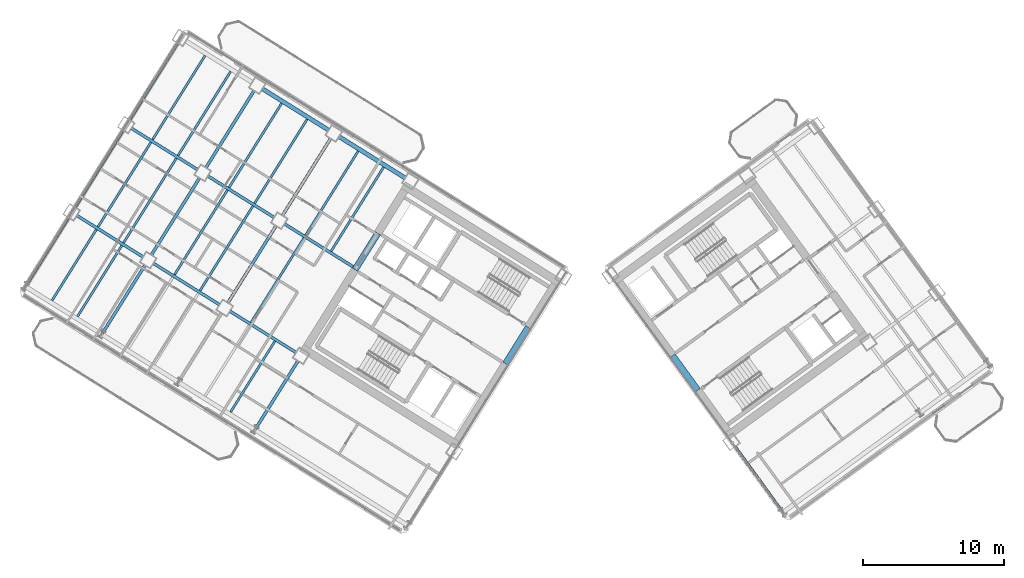
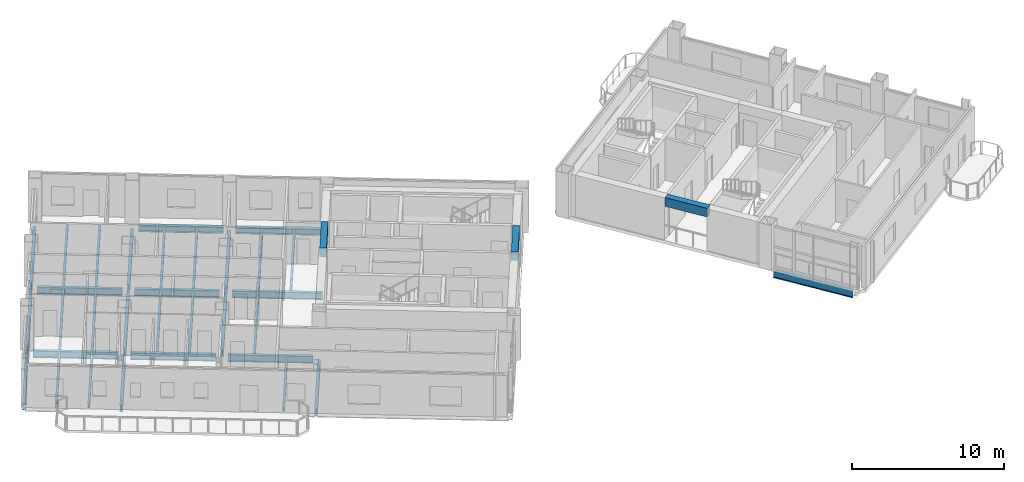
# One storey, part 7 of 19: 35 beams.
"""IFC4 building model written with IfcOpenShell, lengths in metres."""

from ifc_helpers import new_model, si_unit, direction, frame, origin, origin_2d, place, context, subcontext, project, spatial, rectangle, i_section, extrude, source, transform, mapped, material, material_profile, profile_set, type_object, element, save


model = new_model("IFC4")

# Units and contexts
model_context = context("Model", 3, precision=1e-05, world=origin(), true_north=direction((0.0, 1.0)))
body_context = subcontext(model_context, "Body", "Model", "MODEL_VIEW")
ifc_project = project(units=[si_unit("LENGTHUNIT", "METRE"), si_unit("AREAUNIT", "SQUARE_METRE"), si_unit("VOLUMEUNIT", "CUBIC_METRE"), si_unit("PLANEANGLEUNIT", "RADIAN"), si_unit("MASSUNIT", "GRAM", prefix="KILO")], contexts=[model_context])

# Site, building, storey
site_placement = place(None, origin())
site = spatial("IfcSite", under=ifc_project, at=site_placement, CompositionType="ELEMENT")
building_placement = place(site_placement, origin())
building = spatial("IfcBuilding", under=site, at=building_placement, Name="Tlacorven Tower", CompositionType="ELEMENT")
storey_placement = place(building_placement, frame((0.0, 0.0, 144.300048828125)))
storey = spatial("IfcBuildingStorey", under=building, at=storey_placement, Name="L36", CompositionType="ELEMENT", Elevation=144.300048828125)

# Beams
ifc_material_1 = material(Name="Concrete C60/75", Category="concrete")
ifc_material_profile_1 = material_profile(ifc_material_1, rectangle(XDim=0.449951171875, YDim=0.699951171875, at=origin_2d()), Name="RC 450X700")
ifc_profile_set_1 = profile_set([ifc_material_profile_1], Name="Concrete C60/75")
beam_type_1 = type_object("IfcBeamType", Name="BM-LNT-700", PredefinedType="LINTEL", material=ifc_profile_set_1)
shared_shape_1 = source(origin(), body_context, "Body", "SweptSolid", [
    extrude(rectangle(XDim=0.449951171875, YDim=0.699951171875, at=origin_2d()), origin(), (0.0, 0.0, 1.0), 3.050048828125),
])
for number, where, z_axis, x_axis, name in (
    (1, (38.2998046875, 20.890625, 3.0), (-0.529984549635, -0.848007297815, 0.0), (0.848007297815, -0.529984549635, 0.0), "L36 W core coupling lintel beam E1"),
    (2, (50.318359375, 16.416015625, 3.0), (-0.587776590479, 0.80902328748, 0.0), (-0.80902328748, -0.587776590479, 0.0), "L36 E core coupling lintel beam E1"),
):
    element("IfcBeam", number, at=place(storey_placement, frame(where, z_axis=z_axis, x_axis=x_axis)), inside=storey, type_object=beam_type_1, Name=name, PredefinedType="LINTEL", context=body_context, shape_type="MappedRepresentation", body=[
        mapped(shared_shape_1, transform((0.0, 0.0, 0.0), scale=1.0)),
    ])
shared_shape_2 = source(origin(), body_context, "Body", "SweptSolid", [
    extrude(rectangle(XDim=0.449951171875, YDim=0.699951171875, at=origin_2d()), origin(), (0.0, 0.0, 1.0), 3.0498046875),
])
beam_1_placement = place(storey_placement, frame((27.622802734375, 27.562255859375, 3.0), z_axis=(-0.529926983584, -0.848043272522, 0.0), x_axis=(0.848043272522, -0.529926983584, 0.0)))
element("IfcBeam", 3, at=beam_1_placement, inside=storey, type_object=beam_type_1, Name="L36 W core coupling lintel beam E2", PredefinedType="LINTEL", context=body_context, shape_type="MappedRepresentation", body=[
    mapped(shared_shape_2, transform((0.0, 0.0, 0.0), scale=1.0)),
])
ifc_material_2 = material(Name="Steel S355J2", Category="steel")
ifc_material_profile_2 = material_profile(ifc_material_2, i_section(OverallWidth=0.2099609375, OverallDepth=0.550048828125, WebThickness=0.010986328125, FlangeThickness=0.01708984375, at=origin_2d()), Name="IPE 550")
ifc_profile_set_2 = profile_set([ifc_material_profile_2], Name="Steel S355J2")
beam_type_2 = type_object("IfcBeamType", Name="BM-TWR-550", PredefinedType="BEAM", material=ifc_profile_set_2)
shared_shape_3 = source(origin(), body_context, "Body", "SweptSolid", [
    extrude(i_section(OverallWidth=0.2099609375, OverallDepth=0.550048828125, WebThickness=0.010986328125, FlangeThickness=0.01708984375, at=origin_2d()), origin(), (0.0, 0.0, 1.0), 5.599853515625),
])
for number, where, z_axis, x_axis, name in (
    (4, (20.292724609375, 28.6640625, -0.525146484375), (-0.848047285686, 0.529920561254, 0.0), (-0.529920561254, -0.848047285686, 0.0), "L36 beam BM-L36-WL2-4"),
    (5, (21.851806640625, 19.081787109375, -0.525146484375), (-0.848047285686, 0.529920561254, 0.0), (-0.529920561254, -0.848047285686, 0.0), "L36 beam BM-L36-WL3-3"),
    (6, (16.42431640625, 22.473388671875, -0.525146484375), (-0.848047285686, 0.529920561254, 0.0), (-0.529920561254, -0.848047285686, 0.0), "L36 beam BM-L36-WL3-4"),
    (7, (10.996826171875, 25.86474609375, -0.525146484375), (-0.848047285686, 0.529920561254, 0.0), (-0.529920561254, -0.848047285686, 0.0), "L36 beam BM-L36-WL3-5"),
):
    element("IfcBeam", number, at=place(storey_placement, frame(where, z_axis=z_axis, x_axis=x_axis)), inside=storey, type_object=beam_type_2, Name=name, PredefinedType="BEAM", context=body_context, shape_type="MappedRepresentation", body=[
        mapped(shared_shape_3, transform((0.0, 0.0, 0.0), scale=1.0)),
    ])
shared_shape_4 = source(origin(), body_context, "Body", "SweptSolid", [
    extrude(i_section(OverallWidth=0.2099609375, OverallDepth=0.550048828125, WebThickness=0.010986328125, FlangeThickness=0.01708984375, at=origin_2d()), origin(), (0.0, 0.0, 1.0), 5.960205078125),
])
beam_2_placement = place(storey_placement, frame((26.025634765625, 25.081787109375, -0.525146484375), z_axis=(-0.848042024898, 0.529928980153, 0.0), x_axis=(-0.529928980153, -0.848042024898, 0.0)))
element("IfcBeam", 8, at=beam_2_placement, inside=storey, type_object=beam_type_2, Name="L36 beam BM-L36-WL2-3", PredefinedType="BEAM", context=body_context, shape_type="MappedRepresentation", body=[
    mapped(shared_shape_4, transform((0.0, 0.0, 0.0), scale=1.0)),
])
shared_shape_5 = source(origin(), body_context, "Body", "SweptSolid", [
    extrude(i_section(OverallWidth=0.2099609375, OverallDepth=0.550048828125, WebThickness=0.010986328125, FlangeThickness=0.01708984375, at=origin_2d()), origin(), (0.0, 0.0, 1.0), 5.60009765625),
])
beam_3_placement = place(storey_placement, frame((14.865234375, 32.055419921875, -0.525146484375), z_axis=(-0.848027693204, 0.529951914384, 0.0), x_axis=(-0.529951914384, -0.848027693204, 0.0)))
element("IfcBeam", 9, at=beam_3_placement, inside=storey, type_object=beam_type_2, Name="L36 beam BM-L36-WL2-5", PredefinedType="BEAM", context=body_context, shape_type="MappedRepresentation", body=[
    mapped(shared_shape_5, transform((0.0, 0.0, 0.0), scale=1.0)),
])
ifc_material_profile_3 = material_profile(ifc_material_2, i_section(OverallWidth=0.300048828125, OverallDepth=0.489990234375, WebThickness=0.011962890625, FlangeThickness=0.02294921875, at=origin_2d()), Name="HEA 500")
ifc_profile_set_3 = profile_set([ifc_material_profile_3], Name="Steel S355J2")
beam_type_3 = type_object("IfcBeamType", Name="BM-SPN-500", PredefinedType="SPANDREL", material=ifc_profile_set_3)
shared_shape_6 = source(origin(), body_context, "Body", "SweptSolid", [
    extrude(i_section(OverallWidth=0.300048828125, OverallDepth=0.489990234375, WebThickness=0.011962890625, FlangeThickness=0.02294921875, at=origin_2d()), origin(), (0.0, 0.0, 1.0), 5.599853515625),
])
for number, where, z_axis, x_axis, name in (
    (10, (29.588623046875, 31.46337890625, -0.4951171875), (-0.848047285686, 0.529920561254, 0.0), (-0.529920561254, -0.848047285686, 0.0), "L36 beam BM-L36-WL1-3"),
    (11, (24.1611328125, 34.854736328125, -0.4951171875), (-0.848047285686, 0.529920561254, 0.0), (-0.529920561254, -0.848047285686, 0.0), "L36 beam BM-L36-WL1-4"),
):
    element("IfcBeam", number, at=place(storey_placement, frame(where, z_axis=z_axis, x_axis=x_axis)), inside=storey, type_object=beam_type_3, Name=name, PredefinedType="SPANDREL", context=body_context, shape_type="MappedRepresentation", body=[
        mapped(shared_shape_6, transform((0.0, 0.0, 0.0), scale=1.0)),
    ])
shared_shape_7 = source(origin(), body_context, "Body", "SweptSolid", [
    extrude(i_section(OverallWidth=0.2099609375, OverallDepth=0.550048828125, WebThickness=0.010986328125, FlangeThickness=0.01708984375, at=origin_2d()), origin(), (0.0, 0.0, 1.0), 5.7001953125),
])
for number, where, z_axis, x_axis, name in (
    (12, (11.1240234375, 25.313720703125, -0.525146484375), (-0.529906537151, -0.848056048787, 0.0), (0.848056048787, -0.529906537151, 0.0), "L36 beam BM-L36-WT5-3"),
    (13, (5.696533203125, 28.705078125, -0.525146484375), (-0.529906537151, -0.848056048787, 0.0), (0.848056048787, -0.529906537151, 0.0), "L36 beam BM-L36-WT6-3"),
):
    element("IfcBeam", number, at=place(storey_placement, frame(where, z_axis=z_axis, x_axis=x_axis)), inside=storey, type_object=beam_type_2, Name=name, PredefinedType="BEAM", context=body_context, shape_type="MappedRepresentation", body=[
        mapped(shared_shape_7, transform((0.0, 0.0, 0.0), scale=1.0)),
    ])
shared_shape_8 = source(origin(), body_context, "Body", "SweptSolid", [
    extrude(i_section(OverallWidth=0.2099609375, OverallDepth=0.550048828125, WebThickness=0.010986328125, FlangeThickness=0.01708984375, at=origin_2d()), origin(), (0.0, 0.0, 1.0), 5.699951171875),
])
for number, where, z_axis, x_axis, name in (
    (14, (21.979248046875, 18.530517578125, -0.525146484375), (-0.5299565889, -0.848024771974, 0.0), (0.848024771974, -0.5299565889, 0.0), "L36 beam BM-L36-WT3-2"),
    (15, (56.291015625, 7.83837890625, -0.525146484375), (-0.587815099892, 0.808995307983, 0.0), (-0.808995307983, -0.587815099892, 0.0), "L36 beam BM-L36-ET1-1"),
):
    element("IfcBeam", number, at=place(storey_placement, frame(where, z_axis=z_axis, x_axis=x_axis)), inside=storey, type_object=beam_type_2, Name=name, PredefinedType="BEAM", context=body_context, shape_type="MappedRepresentation", body=[
        mapped(shared_shape_8, transform((0.0, 0.0, 0.0), scale=1.0)),
    ])
shared_shape_9 = source(origin(), body_context, "Body", "SweptSolid", [
    extrude(i_section(OverallWidth=0.2099609375, OverallDepth=0.550048828125, WebThickness=0.010986328125, FlangeThickness=0.01708984375, at=origin_2d()), origin(), (0.0, 0.0, 1.0), 6.500244140625),
])
beam_4_placement = place(storey_placement, frame((24.28857421875, 34.3037109375, -0.525146484375), z_axis=(-0.529921287515, -0.848046831866, 0.0), x_axis=(0.848046831866, -0.529921287515, 0.0)))
element("IfcBeam", 16, at=beam_4_placement, inside=storey, type_object=beam_type_2, Name="L36 beam BM-L36-WT4-1", PredefinedType="BEAM", context=body_context, shape_type="MappedRepresentation", body=[
    mapped(shared_shape_9, transform((0.0, 0.0, 0.0), scale=1.0)),
])
shared_shape_10 = source(origin(), body_context, "Body", "SweptSolid", [
    extrude(i_section(OverallWidth=0.2099609375, OverallDepth=0.550048828125, WebThickness=0.010986328125, FlangeThickness=0.01708984375, at=origin_2d()), origin(), (0.0, 0.0, 1.0), 6.5),
])
for number, where, z_axis, x_axis, name in (
    (17, (20.420166015625, 28.11279296875, -0.525146484375), (-0.529938166933, -0.848036284146, 0.0), (0.848036284146, -0.529938166933, 0.0), "L36 beam BM-L36-WT4-2"),
    (18, (14.992431640625, 31.50439453125, -0.525146484375), (-0.529894274829, -0.848063710757, 0.0), (0.848063710757, -0.529894274829, 0.0), "L36 beam BM-L36-WT5-2"),
    (19, (13.433349609375, 41.086669921875, -0.525146484375), (-0.529894274829, -0.848063710757, 0.0), (0.848063710757, -0.529894274829, 0.0), "L36 beam BM-L36-WT6-1"),
):
    element("IfcBeam", number, at=place(storey_placement, frame(where, z_axis=z_axis, x_axis=x_axis)), inside=storey, type_object=beam_type_2, Name=name, PredefinedType="BEAM", context=body_context, shape_type="MappedRepresentation", body=[
        mapped(shared_shape_10, transform((0.0, 0.0, 0.0), scale=1.0)),
    ])
shared_shape_11 = source(origin(), body_context, "Body", "SweptSolid", [
    extrude(i_section(OverallWidth=0.2099609375, OverallDepth=0.550048828125, WebThickness=0.010986328125, FlangeThickness=0.01708984375, at=origin_2d()), origin(), (0.0, 0.0, 1.0), 6.499755859375),
])
for number, where, z_axis, x_axis, name in (
    (20, (18.86083984375, 37.695068359375, -0.525146484375), (-0.529911154058, -0.848053163902, 0.0), (0.848053163902, -0.529911154058, 0.0), "L36 beam BM-L36-WT5-1"),
    (21, (9.56494140625, 34.895751953125, -0.525146484375), (-0.529911154058, -0.848053163902, 0.0), (0.848053163902, -0.529911154058, 0.0), "L36 beam BM-L36-WT6-2"),
):
    element("IfcBeam", number, at=place(storey_placement, frame(where, z_axis=z_axis, x_axis=x_axis)), inside=storey, type_object=beam_type_2, Name=name, PredefinedType="BEAM", context=body_context, shape_type="MappedRepresentation", body=[
        mapped(shared_shape_11, transform((0.0, 0.0, 0.0), scale=1.0)),
    ])
ifc_material_profile_4 = material_profile(ifc_material_2, i_section(OverallWidth=0.159912109375, OverallDepth=0.330078125, WebThickness=0.007568359375, FlangeThickness=0.011474609375, at=origin_2d()), Name="IPE 330")
ifc_profile_set_4 = profile_set([ifc_material_profile_4], Name="Steel S355J2")
beam_type_4 = type_object("IfcBeamType", Name="BM-JST-330", PredefinedType="JOIST", material=ifc_profile_set_4)
shared_shape_12 = source(origin(), body_context, "Body", "SweptSolid", [
    extrude(i_section(OverallWidth=0.159912109375, OverallDepth=0.330078125, WebThickness=0.007568359375, FlangeThickness=0.011474609375, at=origin_2d()), origin(), (0.0, 0.0, 1.0), 5.93505859375),
])
for number, where, z_axis, x_axis, name in (
    (22, (20.32373046875, 19.906982421875, -0.4150390625), (-0.529910194899, -0.848053763238, 0.0), (0.848053763238, -0.529910194899, 0.0), "L36 beam BM-L36-WJ3-3-1"),
    (23, (9.46875, 26.68994140625, -0.4150390625), (-0.529939778535, -0.848035277053, 0.0), (0.848035277053, -0.529939778535, 0.0), "L36 beam BM-L36-WJ5-3-1"),
    (24, (7.659423828125, 27.820556640625, -0.4150390625), (-0.529910194899, -0.848053763238, 0.0), (0.848053763238, -0.529910194899, 0.0), "L36 beam BM-L36-WJ5-3-2"),
):
    element("IfcBeam", number, at=place(storey_placement, frame(where, z_axis=z_axis, x_axis=x_axis)), inside=storey, type_object=beam_type_4, Name=name, PredefinedType="JOIST", context=body_context, shape_type="MappedRepresentation", body=[
        mapped(shared_shape_12, transform((0.0, 0.0, 0.0), scale=1.0)),
    ])
shared_shape_13 = source(origin(), body_context, "Body", "SweptSolid", [
    extrude(i_section(OverallWidth=0.159912109375, OverallDepth=0.330078125, WebThickness=0.007568359375, FlangeThickness=0.011474609375, at=origin_2d()), origin(), (0.0, 0.0, 1.0), 7.080078125),
])
beam_5_placement = place(storey_placement, frame((18.7646484375, 29.4892578125, -0.4150390625), z_axis=(-0.529933847046, -0.848038983629, 0.0), x_axis=(0.848038983629, -0.529933847046, 0.0)))
element("IfcBeam", 25, at=beam_5_placement, inside=storey, type_object=beam_type_4, Name="L36 beam BM-L36-WJ4-2-1", PredefinedType="JOIST", context=body_context, shape_type="MappedRepresentation", body=[
    mapped(shared_shape_13, transform((0.0, 0.0, 0.0), scale=1.0)),
])
shared_shape_14 = source(origin(), body_context, "Body", "SweptSolid", [
    extrude(i_section(OverallWidth=0.159912109375, OverallDepth=0.330078125, WebThickness=0.007568359375, FlangeThickness=0.011474609375, at=origin_2d()), origin(), (0.0, 0.0, 1.0), 7.03515625),
])
for number, where, z_axis, x_axis, name in (
    (26, (28.03662109375, 32.25048828125, -0.4150390625), (-0.529920952588, -0.848047041153, 0.0), (0.848047041153, -0.529920952588, 0.0), "L36 beam BM-L36-WJ3-1-1"),
    (27, (26.2275390625, 33.380859375, -0.4150390625), (-0.529920952588, -0.848047041153, 0.0), (0.848047041153, -0.529920952588, 0.0), "L36 beam BM-L36-WJ3-1-2"),
    (28, (22.609130859375, 35.641845703125, -0.4150390625), (-0.529920952588, -0.848047041153, 0.0), (0.848047041153, -0.529920952588, 0.0), "L36 beam BM-L36-WJ4-1-1"),
    (29, (20.800048828125, 36.7724609375, -0.4150390625), (-0.529920952588, -0.848047041153, 0.0), (0.848047041153, -0.529920952588, 0.0), "L36 beam BM-L36-WJ4-1-2"),
    (30, (17.181640625, 39.033447265625, -0.4150390625), (-0.529920952588, -0.848047041153, 0.0), (0.848047041153, -0.529920952588, 0.0), "L36 beam BM-L36-WJ5-1-1"),
):
    element("IfcBeam", number, at=place(storey_placement, frame(where, z_axis=z_axis, x_axis=x_axis)), inside=storey, type_object=beam_type_4, Name=name, PredefinedType="JOIST", context=body_context, shape_type="MappedRepresentation", body=[
        mapped(shared_shape_14, transform((0.0, 0.0, 0.0), scale=1.0)),
    ])
shared_shape_15 = source(origin(), body_context, "Body", "SweptSolid", [
    extrude(i_section(OverallWidth=0.159912109375, OverallDepth=0.330078125, WebThickness=0.007568359375, FlangeThickness=0.011474609375, at=origin_2d()), origin(), (0.0, 0.0, 1.0), 7.079833984375),
])
for number, where, z_axis, x_axis, name in (
    (31, (22.3828125, 27.228271484375, -0.4150390625), (-0.529909047265, -0.848054480341, 0.0), (0.848054480341, -0.529909047265, 0.0), "L36 beam BM-L36-WJ3-2-2"),
    (32, (16.955322265625, 30.619873046875, -0.4150390625), (-0.529909047265, -0.848054480341, 0.0), (0.848054480341, -0.529909047265, 0.0), "L36 beam BM-L36-WJ4-2-2"),
    (33, (11.52783203125, 34.01123046875, -0.4150390625), (-0.529909047265, -0.848054480341, 0.0), (0.848054480341, -0.529909047265, 0.0), "L36 beam BM-L36-WJ5-2-2"),
):
    element("IfcBeam", number, at=place(storey_placement, frame(where, z_axis=z_axis, x_axis=x_axis)), inside=storey, type_object=beam_type_4, Name=name, PredefinedType="JOIST", context=body_context, shape_type="MappedRepresentation", body=[
        mapped(shared_shape_15, transform((0.0, 0.0, 0.0), scale=1.0)),
    ])
shared_shape_16 = source(origin(), body_context, "Body", "SweptSolid", [
    extrude(i_section(OverallWidth=0.159912109375, OverallDepth=0.330078125, WebThickness=0.007568359375, FlangeThickness=0.011474609375, at=origin_2d()), origin(), (0.0, 0.0, 1.0), 7.034912109375),
])
beam_6_placement = place(storey_placement, frame((15.372314453125, 40.163818359375, -0.4150390625), z_axis=(-0.529895993776, -0.848062636708, 0.0), x_axis=(0.848062636708, -0.529895993776, 0.0)))
element("IfcBeam", 34, at=beam_6_placement, inside=storey, type_object=beam_type_4, Name="L36 beam BM-L36-WJ5-1-2", PredefinedType="JOIST", context=body_context, shape_type="MappedRepresentation", body=[
    mapped(shared_shape_16, transform((0.0, 0.0, 0.0), scale=1.0)),
])
shared_shape_17 = source(origin(), body_context, "Body", "SweptSolid", [
    extrude(i_section(OverallWidth=0.159912109375, OverallDepth=0.330078125, WebThickness=0.007568359375, FlangeThickness=0.011474609375, at=origin_2d()), origin(), (0.0, 0.0, 1.0), 7.080322265625),
])
beam_7_placement = place(storey_placement, frame((13.337158203125, 32.880859375, -0.4150390625), z_axis=(-0.52991835062, -0.848048667045, 0.0), x_axis=(0.848048667045, -0.52991835062, 0.0)))
element("IfcBeam", 35, at=beam_7_placement, inside=storey, type_object=beam_type_4, Name="L36 beam BM-L36-WJ5-2-1", PredefinedType="JOIST", context=body_context, shape_type="MappedRepresentation", body=[
    mapped(shared_shape_17, transform((0.0, 0.0, 0.0), scale=1.0)),
])

save(model, "model.ifc")
